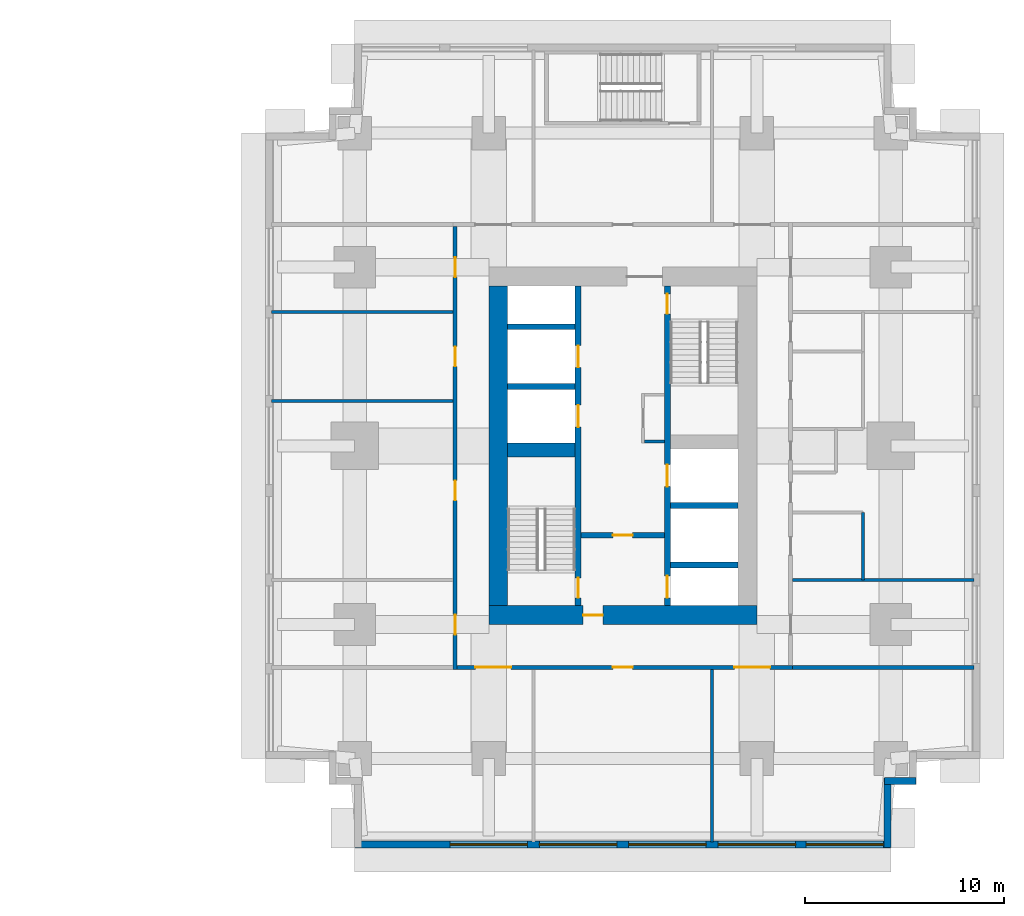
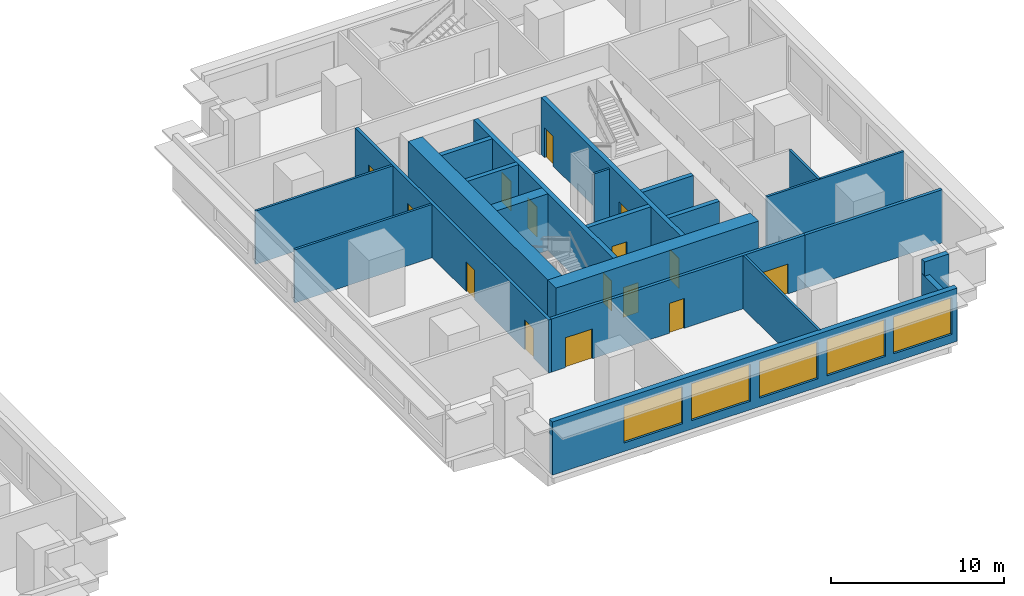
# One storey, part 6 of 11: 22 walls, 15 doors, 5 windows, 20 openings.
"""IFC4 building model written with IfcOpenShell, lengths in metres."""

from ifc_helpers import new_model, si_unit, direction, frame, frame_2d, origin, place, context, subcontext, project, spatial, rectangle, extrude, material, layer, layer_set, type_object, element, fill, save


model = new_model("IFC4")

# Units and contexts
model_context = context("Model", 3, precision=1e-05, world=origin(), true_north=direction((0.0, 1.0)))
body_context = subcontext(model_context, "Body", "Model", "MODEL_VIEW")
ifc_project = project(units=[si_unit("LENGTHUNIT", "METRE"), si_unit("AREAUNIT", "SQUARE_METRE"), si_unit("VOLUMEUNIT", "CUBIC_METRE"), si_unit("PLANEANGLEUNIT", "RADIAN"), si_unit("MASSUNIT", "GRAM", prefix="KILO")], contexts=[model_context])

# Site, building, storey
site_placement = place(None, origin())
site = spatial("IfcSite", under=ifc_project, at=site_placement, CompositionType="ELEMENT")
building_placement = place(site_placement, origin())
building = spatial("IfcBuilding", under=site, at=building_placement, Name="Namib Vertical Campus", CompositionType="ELEMENT")
storey_placement = place(building_placement, frame((0.0, 0.0, 73.0)))
storey = spatial("IfcBuildingStorey", under=building, at=storey_placement, Name="L17", CompositionType="ELEMENT", Elevation=73.0)

# Wall, openings, doors
ifc_material_1 = material(Name="Concrete C60/75", Category="concrete")
ifc_layer_1 = layer(ifc_material_1, 0.300048828125)
ifc_layer_set_1 = layer_set([ifc_layer_1], Name="Concrete C60/75")
wall_type_1 = type_object("IfcWallType", Name="Core inner wall 300", PredefinedType="SHEAR", material=ifc_layer_set_1)
wall_1_placement = place(storey_placement, frame((78.75, 12.199951171875, 0.0), z_axis=(0.0, 0.0, 1.0), x_axis=(0.0, 1.0, 0.0)))
wall_1 = element("IfcWall", 1, at=wall_1_placement, inside=storey, type_object=wall_type_1, Name="Core inner wall B L17 W1", PredefinedType="SHEAR", context=body_context, shape_type="SweptSolid", body=[
    extrude(rectangle(XDim=16.10009765625, YDim=0.300048828125, at=frame_2d((8.050048828125, 0.0))), origin(), (0.0, 0.0, 1.0), 4.0),
])
opening_1_placement = place(wall_1_placement, frame((0.39990234375, 0.0, 0.0)))
opening_1 = element("IfcOpeningElement", 2, at=opening_1_placement, cuts=wall_1, Name="Opening FD1", PredefinedType="OPENING", context=body_context, shape_type="SweptSolid", body=[
    extrude(rectangle(XDim=1.0, YDim=2.10009765625, at=frame_2d((0.5, 1.050048828125))), frame((0.0, 0.159912109375, 0.0), z_axis=(0.0, -1.0, 0.0), x_axis=(1.0, 0.0, 0.0)), (0.0, 0.0, 1.0), 0.320068359375),
])
opening_2_placement = place(wall_1_placement, frame((9.0, 0.0, 0.0)))
opening_2 = element("IfcOpeningElement", 3, at=opening_2_placement, cuts=wall_1, Name="Opening LD1", PredefinedType="OPENING", context=body_context, shape_type="SweptSolid", body=[
    extrude(rectangle(XDim=1.10009765625, YDim=2.10009765625, at=frame_2d((0.550048828125, 1.050048828125))), frame((0.0, 0.159912109375, 0.0), z_axis=(0.0, -1.0, 0.0), x_axis=(1.0, 0.0, 0.0)), (0.0, 0.0, 1.0), 0.320068359375),
])
opening_3_placement = place(wall_1_placement, frame((12.0, 0.0, 0.0)))
opening_3 = element("IfcOpeningElement", 4, at=opening_3_placement, cuts=wall_1, Name="Opening LD1", PredefinedType="OPENING", context=body_context, shape_type="SweptSolid", body=[
    extrude(rectangle(XDim=1.10009765625, YDim=2.10009765625, at=frame_2d((0.550048828125, 1.050048828125))), frame((0.0, 0.159912109375, 0.0), z_axis=(0.0, -1.0, 0.0), x_axis=(1.0, 0.0, 0.0)), (0.0, 0.0, 1.0), 0.320068359375),
])
ifc_material_2 = material(Name="Steel fire door", Category="steel")
door_type_1 = type_object("IfcDoorType", Name="Fire door 1000x2100", OperationType="SINGLE_SWING_RIGHT", PredefinedType="DOOR", material=ifc_material_2)
door_1_placement = place(opening_1_placement, origin())
door_1 = element("IfcDoor", 5, at=door_1_placement, inside=storey, type_object=door_type_1, Name="Stair door FD1 B L17 S1", OperationType="SINGLE_SWING_LEFT", OverallHeight=2.10009765625, OverallWidth=1.0, PredefinedType="DOOR", context=body_context, shape_type="SweptSolid", body=[
    extrude(rectangle(XDim=1.0, YDim=2.10009765625, at=frame_2d((0.5, 1.050048828125))), frame((0.0, 0.02490234375, 0.0), z_axis=(0.0, -1.0, 0.0), x_axis=(1.0, 0.0, 0.0)), (0.0, 0.0, 1.0), 0.050048828125),
])
fill(opening_1, door_1)
ifc_material_3 = material(Name="Stainless steel lift door", Category="steel")
door_type_2 = type_object("IfcDoorType", Name="Lift landing door 1100x2100", OperationType="DOUBLE_DOOR_SLIDING", PredefinedType="DOOR", material=ifc_material_3)
door_2_placement = place(opening_2_placement, origin())
door_2 = element("IfcDoor", 6, at=door_2_placement, inside=storey, type_object=door_type_2, Name="Lift landing door LD1 B-P1 L17", OperationType="DOUBLE_DOOR_SLIDING", OverallHeight=2.10009765625, OverallWidth=1.10009765625, PredefinedType="DOOR", context=body_context, shape_type="SweptSolid", body=[
    extrude(rectangle(XDim=1.10009765625, YDim=2.10009765625, at=frame_2d((0.550048828125, 1.050048828125))), frame((0.0, 0.02490234375, 0.0), z_axis=(0.0, -1.0, 0.0), x_axis=(1.0, 0.0, 0.0)), (0.0, 0.0, 1.0), 0.050048828125),
])
fill(opening_2, door_2)
door_3_placement = place(opening_3_placement, origin())
door_3 = element("IfcDoor", 7, at=door_3_placement, inside=storey, type_object=door_type_2, Name="Lift landing door LD1 B-P2 L17", OperationType="DOUBLE_DOOR_SLIDING", OverallHeight=2.10009765625, OverallWidth=1.10009765625, PredefinedType="DOOR", context=body_context, shape_type="SweptSolid", body=[
    extrude(rectangle(XDim=1.10009765625, YDim=2.10009765625, at=frame_2d((0.550048828125, 1.050048828125))), frame((0.0, 0.02490234375, 0.0), z_axis=(0.0, -1.0, 0.0), x_axis=(1.0, 0.0, 0.0)), (0.0, 0.0, 1.0), 0.050048828125),
])
fill(opening_3, door_3)

wall_2_placement = place(storey_placement, frame((83.25, 12.199951171875, 0.0), z_axis=(0.0, 0.0, 1.0), x_axis=(0.0, 1.0, 0.0)))
wall_2 = element("IfcWall", 8, at=wall_2_placement, inside=storey, type_object=wall_type_1, Name="Core inner wall B L17 W2", PredefinedType="SHEAR", context=body_context, shape_type="SweptSolid", body=[
    extrude(rectangle(XDim=16.10009765625, YDim=0.300048828125, at=frame_2d((8.050048828125, 0.0))), origin(), (0.0, 0.0, 1.0), 4.0),
])
opening_4_placement = place(wall_2_placement, frame((14.699951171875, 0.0, 0.0)))
opening_4 = element("IfcOpeningElement", 9, at=opening_4_placement, cuts=wall_2, Name="Opening FD1", PredefinedType="OPENING", context=body_context, shape_type="SweptSolid", body=[
    extrude(rectangle(XDim=1.0, YDim=2.10009765625, at=frame_2d((0.5, 1.050048828125))), frame((0.0, 0.159912109375, 0.0), z_axis=(0.0, -1.0, 0.0), x_axis=(1.0, 0.0, 0.0)), (0.0, 0.0, 1.0), 0.320068359375),
])
opening_5_placement = place(wall_2_placement, frame((0.39990234375, 0.0, 0.0)))
opening_5 = element("IfcOpeningElement", 10, at=opening_5_placement, cuts=wall_2, Name="Opening LD1", PredefinedType="OPENING", context=body_context, shape_type="SweptSolid", body=[
    extrude(rectangle(XDim=1.10009765625, YDim=2.10009765625, at=frame_2d((0.550048828125, 1.050048828125))), frame((0.0, 0.159912109375, 0.0), z_axis=(0.0, -1.0, 0.0), x_axis=(1.0, 0.0, 0.0)), (0.0, 0.0, 1.0), 0.320068359375),
])
opening_6_placement = place(wall_2_placement, frame((6.0, 0.0, 0.0)))
opening_6 = element("IfcOpeningElement", 11, at=opening_6_placement, cuts=wall_2, Name="Opening LD1", PredefinedType="OPENING", context=body_context, shape_type="SweptSolid", body=[
    extrude(rectangle(XDim=1.10009765625, YDim=2.10009765625, at=frame_2d((0.550048828125, 1.050048828125))), frame((0.0, 0.159912109375, 0.0), z_axis=(0.0, -1.0, 0.0), x_axis=(1.0, 0.0, 0.0)), (0.0, 0.0, 1.0), 0.320068359375),
])
door_4_placement = place(opening_4_placement, frame((1.0, 0.0, 0.0), z_axis=(0.0, 0.0, 1.0), x_axis=(-1.0, 0.0, 0.0)))
door_4 = element("IfcDoor", 12, at=door_4_placement, inside=storey, type_object=door_type_1, Name="Stair door FD1 B L17 S2", OperationType="SINGLE_SWING_LEFT", OverallHeight=2.10009765625, OverallWidth=1.0, PredefinedType="DOOR", context=body_context, shape_type="SweptSolid", body=[
    extrude(rectangle(XDim=1.0, YDim=2.10009765625, at=frame_2d((0.5, 1.050048828125))), frame((0.0, 0.02490234375, 0.0), z_axis=(0.0, -1.0, 0.0), x_axis=(1.0, 0.0, 0.0)), (0.0, 0.0, 1.0), 0.050048828125),
])
fill(opening_4, door_4)
door_5_placement = place(opening_5_placement, origin())
door_5 = element("IfcDoor", 13, at=door_5_placement, inside=storey, type_object=door_type_2, Name="Lift landing door LD1 B-FL1 L17", OperationType="DOUBLE_DOOR_SLIDING", OverallHeight=2.10009765625, OverallWidth=1.10009765625, PredefinedType="DOOR", context=body_context, shape_type="SweptSolid", body=[
    extrude(rectangle(XDim=1.10009765625, YDim=2.10009765625, at=frame_2d((0.550048828125, 1.050048828125))), frame((0.0, 0.02490234375, 0.0), z_axis=(0.0, -1.0, 0.0), x_axis=(1.0, 0.0, 0.0)), (0.0, 0.0, 1.0), 0.050048828125),
])
fill(opening_5, door_5)
door_6_placement = place(opening_6_placement, origin())
door_6 = element("IfcDoor", 14, at=door_6_placement, inside=storey, type_object=door_type_2, Name="Lift landing door LD1 B-P5 L17", OperationType="DOUBLE_DOOR_SLIDING", OverallHeight=2.10009765625, OverallWidth=1.10009765625, PredefinedType="DOOR", context=body_context, shape_type="SweptSolid", body=[
    extrude(rectangle(XDim=1.10009765625, YDim=2.10009765625, at=frame_2d((0.550048828125, 1.050048828125))), frame((0.0, 0.02490234375, 0.0), z_axis=(0.0, -1.0, 0.0), x_axis=(1.0, 0.0, 0.0)), (0.0, 0.0, 1.0), 0.050048828125),
])
fill(opening_6, door_6)

# Wall, opening, door
wall_3_placement = place(storey_placement, frame((78.89990234375, 15.75, 0.0), z_axis=(0.0, 0.0, 1.0), x_axis=(1.0, 0.0, 0.0)))
wall_3 = element("IfcWall", 15, at=wall_3_placement, inside=storey, type_object=wall_type_1, Name="Core inner wall B L17 W4", PredefinedType="SHEAR", context=body_context, shape_type="SweptSolid", body=[
    extrude(rectangle(XDim=4.2001953125, YDim=0.300048828125, at=frame_2d((2.10009765625, 0.0))), origin(), (0.0, 0.0, 1.0), 4.0),
])
opening_7_placement = place(wall_3_placement, frame((1.60009765625, 0.0, 0.0)))
opening_7 = element("IfcOpeningElement", 16, at=opening_7_placement, cuts=wall_3, Name="Opening FD5", PredefinedType="OPENING", context=body_context, shape_type="SweptSolid", body=[
    extrude(rectangle(XDim=1.0, YDim=2.10009765625, at=frame_2d((0.5, 1.050048828125))), frame((0.0, 0.159912109375, 0.0), z_axis=(0.0, -1.0, 0.0), x_axis=(1.0, 0.0, 0.0)), (0.0, 0.0, 1.0), 0.320068359375),
])
ifc_material_4 = material(Name="Steel fire door", Category="steel")
door_type_3 = type_object("IfcDoorType", Name="Fire door 1000x2100 120 min", OperationType="SINGLE_SWING_RIGHT", PredefinedType="DOOR", material=ifc_material_4)
door_7_placement = place(opening_7_placement, frame((1.0, 0.0, 0.0), z_axis=(0.0, 0.0, 1.0), x_axis=(-1.0, 0.0, 0.0)))
door_7 = element("IfcDoor", 17, at=door_7_placement, inside=storey, type_object=door_type_3, Name="Lobby door FD5 B L17", OperationType="SINGLE_SWING_RIGHT", OverallHeight=2.10009765625, OverallWidth=1.0, PredefinedType="DOOR", context=body_context, shape_type="SweptSolid", body=[
    extrude(rectangle(XDim=1.0, YDim=2.10009765625, at=frame_2d((0.5, 1.050048828125))), frame((0.0, 0.02490234375, 0.0), z_axis=(0.0, -1.0, 0.0), x_axis=(1.0, 0.0, 0.0)), (0.0, 0.0, 1.0), 0.050048828125),
])
fill(opening_7, door_7)

# Walls
for number, where, z_axis, x_axis, name in (
    (18, (83.39990234375, 14.25, 0.0), (0.0, 0.0, 1.0), (1.0, 0.0, 0.0), "Core inner wall B L17 W5"),
    (19, (83.39990234375, 17.25, 0.0), (0.0, 0.0, 1.0), (1.0, 0.0, 0.0), "Core inner wall B L17 W6"),
    (20, (75.199951171875, 23.25, 0.0), (0.0, 0.0, 1.0), (1.0, 0.0, 0.0), "Core inner wall B L17 W8"),
    (21, (75.199951171875, 26.25, 0.0), (0.0, 0.0, 1.0), (1.0, 0.0, 0.0), "Core inner wall B L17 W9"),
):
    element("IfcWall", number, at=place(storey_placement, frame(where, z_axis=z_axis, x_axis=x_axis)), inside=storey, type_object=wall_type_1, Name=name, PredefinedType="SHEAR", context=body_context, shape_type="SweptSolid", body=[
        extrude(rectangle(XDim=3.400146484375, YDim=0.300048828125, at=frame_2d((1.7001953125, 0.0))), origin(), (0.0, 0.0, 1.0), 4.0),
    ])
ifc_material_5 = material(Name="Concrete C60/75", Category="concrete")
ifc_layer_2 = layer(ifc_material_5, 0.699951171875)
ifc_layer_set_2 = layer_set([ifc_layer_2], Name="Concrete C60/75")
wall_type_2 = type_object("IfcWallType", Name="Core shear wall 700", PredefinedType="SHEAR", material=ifc_layer_set_2)
wall_4_placement = place(storey_placement, frame((75.199951171875, 20.050048828125, 0.0), z_axis=(0.0, 0.0, 1.0), x_axis=(1.0, 0.0, 0.0)))
element("IfcWall", 22, at=wall_4_placement, inside=storey, type_object=wall_type_2, Name="Core shear wall B L17 W3", PredefinedType="SHEAR", context=body_context, shape_type="SweptSolid", body=[
    extrude(rectangle(XDim=3.400146484375, YDim=0.699951171875, at=frame_2d((1.7001953125, 0.0))), origin(), (0.0, 0.0, 1.0), 4.0),
])

# Wall, opening, door
ifc_material_6 = material(Name="Concrete C60/75", Category="concrete")
ifc_layer_3 = layer(ifc_material_6, 0.949951171875)
ifc_layer_set_3 = layer_set([ifc_layer_3], Name="Concrete C60/75")
wall_type_3 = type_object("IfcWallType", Name="Core wall 950", PredefinedType="SHEAR", material=ifc_layer_set_3)
wall_5_placement = place(storey_placement, frame((74.25, 11.72509765625, 0.0), z_axis=(0.0, 0.0, 1.0), x_axis=(1.0, 0.0, 0.0)))
wall_5 = element("IfcWall", 23, at=wall_5_placement, inside=storey, type_object=wall_type_3, Name="Core wall B L17 1", PredefinedType="SHEAR", context=body_context, shape_type="SweptSolid", body=[
    extrude(rectangle(XDim=13.5, YDim=0.949951171875, at=frame_2d((6.75, 0.0))), origin(), (0.0, 0.0, 1.0), 4.0),
])
opening_8_placement = place(wall_5_placement, frame((4.75, 0.0, 0.0)))
opening_8 = element("IfcOpeningElement", 24, at=opening_8_placement, cuts=wall_5, Name="Opening FD5", PredefinedType="OPENING", context=body_context, shape_type="SweptSolid", body=[
    extrude(rectangle(XDim=1.0, YDim=2.10009765625, at=frame_2d((0.5, 1.050048828125))), frame((0.0, 0.48486328125, 0.0), z_axis=(0.0, -1.0, 0.0), x_axis=(1.0, 0.0, 0.0)), (0.0, 0.0, 1.0), 0.969970703125),
])
door_8_placement = place(opening_8_placement, origin())
door_8 = element("IfcDoor", 25, at=door_8_placement, inside=storey, type_object=door_type_3, Name="Firefighting lobby door FD5 B L17", OperationType="SINGLE_SWING_LEFT", OverallHeight=2.10009765625, OverallWidth=1.0, PredefinedType="DOOR", context=body_context, shape_type="SweptSolid", body=[
    extrude(rectangle(XDim=1.0, YDim=2.10009765625, at=frame_2d((0.5, 1.050048828125))), frame((0.0, 0.02490234375, 0.0), z_axis=(0.0, -1.0, 0.0), x_axis=(1.0, 0.0, 0.0)), (0.0, 0.0, 1.0), 0.050048828125),
])
fill(opening_8, door_8)

# Wall
wall_6_placement = place(storey_placement, frame((74.72509765625, 28.300048828125, 0.0), z_axis=(0.0, 0.0, 1.0), x_axis=(0.0, -1.0, 0.0)))
element("IfcWall", 26, at=wall_6_placement, inside=storey, type_object=wall_type_3, Name="Core wall B L17 4", PredefinedType="SHEAR", context=body_context, shape_type="SweptSolid", body=[
    extrude(rectangle(XDim=16.10009765625, YDim=0.949951171875, at=frame_2d((8.050048828125, 0.0))), origin(), (0.0, 0.0, 1.0), 4.0),
])

# Wall, openings, doors
ifc_material_7 = material(Name="Concrete masonry", Category="masonry")
ifc_layer_4 = layer(ifc_material_7, 0.199951171875)
ifc_layer_set_4 = layer_set([ifc_layer_4], Name="Corridor wall 200")
wall_type_4 = type_object("IfcWallType", Name="Corridor wall 200", PredefinedType="SOLIDWALL", material=ifc_layer_set_4)
wall_7_placement = place(storey_placement, frame((72.64990234375, 9.10009765625, 0.0), z_axis=(0.0, 0.0, 1.0), x_axis=(1.0, 0.0, 0.0)))
wall_7 = element("IfcWall", 27, at=wall_7_placement, inside=storey, type_object=wall_type_4, Name="Corridor wall B L17 CS", PredefinedType="SOLIDWALL", context=body_context, shape_type="SweptSolid", body=[
    extrude(rectangle(XDim=16.900146484375, YDim=0.199951171875, at=frame_2d((8.4501953125, 0.0))), origin(), (0.0, 0.0, 1.0), 3.75),
])
opening_9_placement = place(wall_7_placement, frame((0.925048828125, 0.0, 0.0)))
opening_9 = element("IfcOpeningElement", 28, at=opening_9_placement, cuts=wall_7, Name="Opening CD2", PredefinedType="OPENING", context=body_context, shape_type="SweptSolid", body=[
    extrude(rectangle(XDim=1.800048828125, YDim=2.10009765625, at=frame_2d((0.89990234375, 1.050048828125))), frame((0.0, 0.10986328125, 0.0), z_axis=(0.0, -1.0, 0.0), x_axis=(1.0, 0.0, 0.0)), (0.0, 0.0, 1.0), 0.219970703125),
])
opening_10_placement = place(wall_7_placement, frame((7.85009765625, 0.0, 0.0)))
opening_10 = element("IfcOpeningElement", 29, at=opening_10_placement, cuts=wall_7, Name="Opening CD1", PredefinedType="OPENING", context=body_context, shape_type="SweptSolid", body=[
    extrude(rectangle(XDim=1.0, YDim=2.10009765625, at=frame_2d((0.5, 1.050048828125))), frame((0.0, 0.10986328125, 0.0), z_axis=(0.0, -1.0, 0.0), x_axis=(1.0, 0.0, 0.0)), (0.0, 0.0, 1.0), 0.219970703125),
])
opening_11_placement = place(wall_7_placement, frame((13.97509765625, 0.0, 0.0)))
opening_11 = element("IfcOpeningElement", 30, at=opening_11_placement, cuts=wall_7, Name="Opening CD2", PredefinedType="OPENING", context=body_context, shape_type="SweptSolid", body=[
    extrude(rectangle(XDim=1.800048828125, YDim=2.10009765625, at=frame_2d((0.89990234375, 1.050048828125))), frame((0.0, 0.10986328125, 0.0), z_axis=(0.0, -1.0, 0.0), x_axis=(1.0, 0.0, 0.0)), (0.0, 0.0, 1.0), 0.219970703125),
])
ifc_material_8 = material(Name="Timber fire door leaf", Category="wood")
door_type_4 = type_object("IfcDoorType", Name="Corridor door 1000x2100 20 min", OperationType="SINGLE_SWING_LEFT", PredefinedType="DOOR", material=ifc_material_8)
door_9_placement = place(opening_10_placement, frame((1.0, 0.0, 0.0), z_axis=(0.0, 0.0, 1.0), x_axis=(-1.0, 0.0, 0.0)))
door_9 = element("IfcDoor", 31, at=door_9_placement, inside=storey, type_object=door_type_4, Name="Door CD1 B17-02", OperationType="SINGLE_SWING_RIGHT", OverallHeight=2.10009765625, OverallWidth=1.0, PredefinedType="DOOR", context=body_context, shape_type="SweptSolid", body=[
    extrude(rectangle(XDim=1.0, YDim=2.10009765625, at=frame_2d((0.5, 1.050048828125))), frame((0.0, 0.02490234375, 0.0), z_axis=(0.0, -1.0, 0.0), x_axis=(1.0, 0.0, 0.0)), (0.0, 0.0, 1.0), 0.050048828125),
])
fill(opening_10, door_9)
ifc_material_9 = material(Name="Timber fire door leaf", Category="wood")
door_type_5 = type_object("IfcDoorType", Name="Corridor door double 1800x2100 20 min", OperationType="DOUBLE_DOOR_SINGLE_SWING", PredefinedType="DOOR", material=ifc_material_9)
door_10_placement = place(opening_9_placement, frame((1.800048828125, 0.0, 0.0), z_axis=(0.0, 0.0, 1.0), x_axis=(-1.0, 0.0, 0.0)))
door_10 = element("IfcDoor", 32, at=door_10_placement, inside=storey, type_object=door_type_5, Name="Door CD2 B17-01", OperationType="DOUBLE_DOOR_SINGLE_SWING", OverallHeight=2.10009765625, OverallWidth=1.800048828125, PredefinedType="DOOR", context=body_context, shape_type="SweptSolid", body=[
    extrude(rectangle(XDim=1.800048828125, YDim=2.10009765625, at=frame_2d((0.89990234375, 1.050048828125))), frame((0.0, 0.02490234375, 0.0), z_axis=(0.0, -1.0, 0.0), x_axis=(1.0, 0.0, 0.0)), (0.0, 0.0, 1.0), 0.050048828125),
])
fill(opening_9, door_10)
door_11_placement = place(opening_11_placement, frame((1.800048828125, 0.0, 0.0), z_axis=(0.0, 0.0, 1.0), x_axis=(-1.0, 0.0, 0.0)))
door_11 = element("IfcDoor", 33, at=door_11_placement, inside=storey, type_object=door_type_5, Name="Door CD2 B17-03", OperationType="DOUBLE_DOOR_SINGLE_SWING", OverallHeight=2.10009765625, OverallWidth=1.800048828125, PredefinedType="DOOR", context=body_context, shape_type="SweptSolid", body=[
    extrude(rectangle(XDim=1.800048828125, YDim=2.10009765625, at=frame_2d((0.89990234375, 1.050048828125))), frame((0.0, 0.02490234375, 0.0), z_axis=(0.0, -1.0, 0.0), x_axis=(1.0, 0.0, 0.0)), (0.0, 0.0, 1.0), 0.050048828125),
])
fill(opening_11, door_11)

wall_8_placement = place(storey_placement, frame((72.550048828125, 31.300048828125, 0.0), z_axis=(0.0, 0.0, 1.0), x_axis=(0.0, -1.0, 0.0)))
wall_8 = element("IfcWall", 34, at=wall_8_placement, inside=storey, type_object=wall_type_4, Name="Corridor wall B L17 CW", PredefinedType="SOLIDWALL", context=body_context, shape_type="SweptSolid", body=[
    extrude(rectangle(XDim=22.300048828125, YDim=0.199951171875, at=frame_2d((11.14990234375, 0.0))), origin(), (0.0, 0.0, 1.0), 3.75),
])
opening_12_placement = place(wall_8_placement, frame((19.550048828125, 0.0, 0.0)))
opening_12 = element("IfcOpeningElement", 35, at=opening_12_placement, cuts=wall_8, Name="Opening CD1", PredefinedType="OPENING", context=body_context, shape_type="SweptSolid", body=[
    extrude(rectangle(XDim=1.0, YDim=2.10009765625, at=frame_2d((0.5, 1.050048828125))), frame((0.0, 0.10986328125, 0.0), z_axis=(0.0, -1.0, 0.0), x_axis=(1.0, 0.0, 0.0)), (0.0, 0.0, 1.0), 0.219970703125),
])
opening_13_placement = place(wall_8_placement, frame((12.800048828125, 0.0, 0.0)))
opening_13 = element("IfcOpeningElement", 36, at=opening_13_placement, cuts=wall_8, Name="Opening CD1", PredefinedType="OPENING", context=body_context, shape_type="SweptSolid", body=[
    extrude(rectangle(XDim=1.0, YDim=2.10009765625, at=frame_2d((0.5, 1.050048828125))), frame((0.0, 0.10986328125, 0.0), z_axis=(0.0, -1.0, 0.0), x_axis=(1.0, 0.0, 0.0)), (0.0, 0.0, 1.0), 0.219970703125),
])
opening_14_placement = place(wall_8_placement, frame((6.050048828125, 0.0, 0.0)))
opening_14 = element("IfcOpeningElement", 37, at=opening_14_placement, cuts=wall_8, Name="Opening CD1", PredefinedType="OPENING", context=body_context, shape_type="SweptSolid", body=[
    extrude(rectangle(XDim=1.0, YDim=2.10009765625, at=frame_2d((0.5, 1.050048828125))), frame((0.0, 0.10986328125, 0.0), z_axis=(0.0, -1.0, 0.0), x_axis=(1.0, 0.0, 0.0)), (0.0, 0.0, 1.0), 0.219970703125),
])
opening_15_placement = place(wall_8_placement, frame((1.550048828125, 0.0, 0.0)))
opening_15 = element("IfcOpeningElement", 38, at=opening_15_placement, cuts=wall_8, Name="Opening CD1", PredefinedType="OPENING", context=body_context, shape_type="SweptSolid", body=[
    extrude(rectangle(XDim=1.0, YDim=2.10009765625, at=frame_2d((0.5, 1.050048828125))), frame((0.0, 0.10986328125, 0.0), z_axis=(0.0, -1.0, 0.0), x_axis=(1.0, 0.0, 0.0)), (0.0, 0.0, 1.0), 0.219970703125),
])
door_12_placement = place(opening_12_placement, frame((1.0, 0.0, 0.0), z_axis=(0.0, 0.0, 1.0), x_axis=(-1.0, 0.0, 0.0)))
door_12 = element("IfcDoor", 39, at=door_12_placement, inside=storey, type_object=door_type_4, Name="Door CD1 B17-14", OperationType="SINGLE_SWING_RIGHT", OverallHeight=2.10009765625, OverallWidth=1.0, PredefinedType="DOOR", context=body_context, shape_type="SweptSolid", body=[
    extrude(rectangle(XDim=1.0, YDim=2.10009765625, at=frame_2d((0.5, 1.050048828125))), frame((0.0, 0.02490234375, 0.0), z_axis=(0.0, -1.0, 0.0), x_axis=(1.0, 0.0, 0.0)), (0.0, 0.0, 1.0), 0.050048828125),
])
fill(opening_12, door_12)
door_13_placement = place(opening_13_placement, frame((1.0, 0.0, 0.0), z_axis=(0.0, 0.0, 1.0), x_axis=(-1.0, 0.0, 0.0)))
door_13 = element("IfcDoor", 40, at=door_13_placement, inside=storey, type_object=door_type_4, Name="Door CD1 B17-15", OperationType="SINGLE_SWING_RIGHT", OverallHeight=2.10009765625, OverallWidth=1.0, PredefinedType="DOOR", context=body_context, shape_type="SweptSolid", body=[
    extrude(rectangle(XDim=1.0, YDim=2.10009765625, at=frame_2d((0.5, 1.050048828125))), frame((0.0, 0.02490234375, 0.0), z_axis=(0.0, -1.0, 0.0), x_axis=(1.0, 0.0, 0.0)), (0.0, 0.0, 1.0), 0.050048828125),
])
fill(opening_13, door_13)
door_14_placement = place(opening_14_placement, frame((1.0, 0.0, 0.0), z_axis=(0.0, 0.0, 1.0), x_axis=(-1.0, 0.0, 0.0)))
door_14 = element("IfcDoor", 41, at=door_14_placement, inside=storey, type_object=door_type_4, Name="Door CD1 B17-16", OperationType="SINGLE_SWING_RIGHT", OverallHeight=2.10009765625, OverallWidth=1.0, PredefinedType="DOOR", context=body_context, shape_type="SweptSolid", body=[
    extrude(rectangle(XDim=1.0, YDim=2.10009765625, at=frame_2d((0.5, 1.050048828125))), frame((0.0, 0.02490234375, 0.0), z_axis=(0.0, -1.0, 0.0), x_axis=(1.0, 0.0, 0.0)), (0.0, 0.0, 1.0), 0.050048828125),
])
fill(opening_14, door_14)
door_15_placement = place(opening_15_placement, frame((1.0, 0.0, 0.0), z_axis=(0.0, 0.0, 1.0), x_axis=(-1.0, 0.0, 0.0)))
door_15 = element("IfcDoor", 42, at=door_15_placement, inside=storey, type_object=door_type_4, Name="Door CD1 B17-17", OperationType="SINGLE_SWING_RIGHT", OverallHeight=2.10009765625, OverallWidth=1.0, PredefinedType="DOOR", context=body_context, shape_type="SweptSolid", body=[
    extrude(rectangle(XDim=1.0, YDim=2.10009765625, at=frame_2d((0.5, 1.050048828125))), frame((0.0, 0.02490234375, 0.0), z_axis=(0.0, -1.0, 0.0), x_axis=(1.0, 0.0, 0.0)), (0.0, 0.0, 1.0), 0.050048828125),
])
fill(opening_15, door_15)

# Wall
wall_9_placement = place(storey_placement, frame((89.550048828125, 9.10009765625, 0.0), z_axis=(0.0, 0.0, 1.0), x_axis=(1.0, 0.0, 0.0)))
element("IfcWall", 43, at=wall_9_placement, inside=storey, type_object=wall_type_4, Name="Partition B L17 BSE", PredefinedType="SOLIDWALL", context=body_context, shape_type="SweptSolid", body=[
    extrude(rectangle(XDim=9.14990234375, YDim=0.199951171875, at=frame_2d((4.574951171875, 0.0))), origin(), (0.0, 0.0, 1.0), 3.75),
])

# Wall, openings, windows
ifc_material_10 = material(Name="Concrete C40/50", Category="concrete")
ifc_layer_5 = layer(ifc_material_10, 0.35009765625)
ifc_layer_set_5 = layer_set([ifc_layer_5], Name="Concrete C40/50")
wall_type_5 = type_object("IfcWallType", Name="External wall 350 bush-hammered concrete", PredefinedType="STANDARD", material=ifc_layer_set_5)
wall_10_placement = place(storey_placement, frame((67.52001953125, 0.175048828125, 0.0), z_axis=(0.0, 0.0, 1.0), x_axis=(1.0, 0.0, 0.0)))
wall_10 = element("IfcWall", 44, at=wall_10_placement, inside=storey, type_object=wall_type_5, Name="External wall L17 F01", PredefinedType="STANDARD", context=body_context, shape_type="SweptSolid", body=[
    extrude(rectangle(XDim=26.9599609375, YDim=0.35009765625, at=frame_2d((13.47998046875, 0.0))), origin(), (0.0, 0.0, 1.0), 3.75),
])
opening_16_placement = place(wall_10_placement, frame((4.780029296875, 0.0, 0.60009765625)))
opening_16 = element("IfcOpeningElement", 45, at=opening_16_placement, cuts=wall_10, Name="Opening W2", PredefinedType="OPENING", context=body_context, shape_type="SweptSolid", body=[
    extrude(rectangle(XDim=3.89990234375, YDim=2.60009765625, at=frame_2d((1.949951171875, 1.300048828125))), frame((0.0, 0.18505859375, 0.0), z_axis=(0.0, -1.0, 0.0), x_axis=(1.0, 0.0, 0.0)), (0.0, 0.0, 1.0), 0.3701171875),
])
opening_17_placement = place(wall_10_placement, frame((9.280029296875, 0.0, 0.60009765625)))
opening_17 = element("IfcOpeningElement", 46, at=opening_17_placement, cuts=wall_10, Name="Opening W2", PredefinedType="OPENING", context=body_context, shape_type="SweptSolid", body=[
    extrude(rectangle(XDim=3.89990234375, YDim=2.60009765625, at=frame_2d((1.949951171875, 1.300048828125))), frame((0.0, 0.18505859375, 0.0), z_axis=(0.0, -1.0, 0.0), x_axis=(1.0, 0.0, 0.0)), (0.0, 0.0, 1.0), 0.3701171875),
])
opening_18_placement = place(wall_10_placement, frame((13.780029296875, 0.0, 0.60009765625)))
opening_18 = element("IfcOpeningElement", 47, at=opening_18_placement, cuts=wall_10, Name="Opening W2", PredefinedType="OPENING", context=body_context, shape_type="SweptSolid", body=[
    extrude(rectangle(XDim=3.89990234375, YDim=2.60009765625, at=frame_2d((1.949951171875, 1.300048828125))), frame((0.0, 0.18505859375, 0.0), z_axis=(0.0, -1.0, 0.0), x_axis=(1.0, 0.0, 0.0)), (0.0, 0.0, 1.0), 0.3701171875),
])
opening_19_placement = place(wall_10_placement, frame((18.280029296875, 0.0, 0.60009765625)))
opening_19 = element("IfcOpeningElement", 48, at=opening_19_placement, cuts=wall_10, Name="Opening W2", PredefinedType="OPENING", context=body_context, shape_type="SweptSolid", body=[
    extrude(rectangle(XDim=3.89990234375, YDim=2.60009765625, at=frame_2d((1.949951171875, 1.300048828125))), frame((0.0, 0.18505859375, 0.0), z_axis=(0.0, -1.0, 0.0), x_axis=(1.0, 0.0, 0.0)), (0.0, 0.0, 1.0), 0.3701171875),
])
opening_20_placement = place(wall_10_placement, frame((22.7099609375, 0.0, 0.60009765625)))
opening_20 = element("IfcOpeningElement", 49, at=opening_20_placement, cuts=wall_10, Name="Opening W2", PredefinedType="OPENING", context=body_context, shape_type="SweptSolid", body=[
    extrude(rectangle(XDim=3.89990234375, YDim=2.60009765625, at=frame_2d((1.949951171875, 1.300048828125))), frame((0.0, 0.18505859375, 0.0), z_axis=(0.0, -1.0, 0.0), x_axis=(1.0, 0.0, 0.0)), (0.0, 0.0, 1.0), 0.3701171875),
])
ifc_material_11 = material(Name="Dark tinted glass in black aluminium frame", Category="aluminium")
window_type = type_object("IfcWindowType", Name="Ribbon window 3900x2600", PartitioningType="SINGLE_PANEL", PredefinedType="WINDOW", material=ifc_material_11)
window_1_placement = place(opening_16_placement, origin())
window_1 = element("IfcWindow", 50, at=window_1_placement, inside=storey, type_object=window_type, Name="Window W2 L17 F01-2", OverallHeight=2.60009765625, OverallWidth=3.89990234375, PartitioningType="SINGLE_PANEL", PredefinedType="WINDOW", context=body_context, shape_type="SweptSolid", body=[
    extrude(rectangle(XDim=3.89990234375, YDim=2.60009765625, at=frame_2d((1.949951171875, 1.300048828125))), frame((0.0, 0.030029296875, 0.0), z_axis=(0.0, -1.0, 0.0), x_axis=(1.0, 0.0, 0.0)), (0.0, 0.0, 1.0), 0.06005859375),
])
fill(opening_16, window_1)
window_2_placement = place(opening_17_placement, origin())
window_2 = element("IfcWindow", 51, at=window_2_placement, inside=storey, type_object=window_type, Name="Window W2 L17 F01-3", OverallHeight=2.60009765625, OverallWidth=3.89990234375, PartitioningType="SINGLE_PANEL", PredefinedType="WINDOW", context=body_context, shape_type="SweptSolid", body=[
    extrude(rectangle(XDim=3.89990234375, YDim=2.60009765625, at=frame_2d((1.949951171875, 1.300048828125))), frame((0.0, 0.030029296875, 0.0), z_axis=(0.0, -1.0, 0.0), x_axis=(1.0, 0.0, 0.0)), (0.0, 0.0, 1.0), 0.06005859375),
])
fill(opening_17, window_2)
window_3_placement = place(opening_18_placement, origin())
window_3 = element("IfcWindow", 52, at=window_3_placement, inside=storey, type_object=window_type, Name="Window W2 L17 F01-4", OverallHeight=2.60009765625, OverallWidth=3.89990234375, PartitioningType="SINGLE_PANEL", PredefinedType="WINDOW", context=body_context, shape_type="SweptSolid", body=[
    extrude(rectangle(XDim=3.89990234375, YDim=2.60009765625, at=frame_2d((1.949951171875, 1.300048828125))), frame((0.0, 0.030029296875, 0.0), z_axis=(0.0, -1.0, 0.0), x_axis=(1.0, 0.0, 0.0)), (0.0, 0.0, 1.0), 0.06005859375),
])
fill(opening_18, window_3)
window_4_placement = place(opening_19_placement, origin())
window_4 = element("IfcWindow", 53, at=window_4_placement, inside=storey, type_object=window_type, Name="Window W2 L17 F01-5", OverallHeight=2.60009765625, OverallWidth=3.89990234375, PartitioningType="SINGLE_PANEL", PredefinedType="WINDOW", context=body_context, shape_type="SweptSolid", body=[
    extrude(rectangle(XDim=3.89990234375, YDim=2.60009765625, at=frame_2d((1.949951171875, 1.300048828125))), frame((0.0, 0.030029296875, 0.0), z_axis=(0.0, -1.0, 0.0), x_axis=(1.0, 0.0, 0.0)), (0.0, 0.0, 1.0), 0.06005859375),
])
fill(opening_19, window_4)
window_5_placement = place(opening_20_placement, origin())
window_5 = element("IfcWindow", 54, at=window_5_placement, inside=storey, type_object=window_type, Name="Window W2 L17 F01-6", OverallHeight=2.60009765625, OverallWidth=3.89990234375, PartitioningType="SINGLE_PANEL", PredefinedType="WINDOW", context=body_context, shape_type="SweptSolid", body=[
    extrude(rectangle(XDim=3.89990234375, YDim=2.60009765625, at=frame_2d((1.949951171875, 1.300048828125))), frame((0.0, 0.030029296875, 0.0), z_axis=(0.0, -1.0, 0.0), x_axis=(1.0, 0.0, 0.0)), (0.0, 0.0, 1.0), 0.06005859375),
])
fill(opening_20, window_5)

# Walls
wall_11_placement = place(storey_placement, frame((94.324951171875, 0.02001953125, 0.0), z_axis=(0.0, 0.0, 1.0), x_axis=(0.0, 1.0, 0.0)))
element("IfcWall", 55, at=wall_11_placement, inside=storey, type_object=wall_type_5, Name="External wall L17 F02", PredefinedType="STANDARD", context=body_context, shape_type="SweptSolid", body=[
    extrude(rectangle(XDim=3.510009765625, YDim=0.35009765625, at=frame_2d((1.7548828125, 0.0))), origin(), (0.0, 0.0, 1.0), 2.75),
])
wall_12_placement = place(storey_placement, frame((94.169921875, 3.375, 0.0), z_axis=(0.0, 0.0, 1.0), x_axis=(1.0, 0.0, 0.0)))
element("IfcWall", 56, at=wall_12_placement, inside=storey, type_object=wall_type_5, Name="External wall L17 F03", PredefinedType="STANDARD", context=body_context, shape_type="SweptSolid", body=[
    extrude(rectangle(XDim=1.610107421875, YDim=0.35009765625, at=frame_2d((0.80517578125, 0.0))), origin(), (0.0, 0.0, 1.0), 3.75),
])
ifc_material_12 = material(Name="Gypsum board on steel studs", Category="steel")
ifc_layer_6 = layer(ifc_material_12, 0.14990234375)
ifc_layer_set_6 = layer_set([ifc_layer_6], Name="Gypsum board on steel studs")
wall_type_6 = type_object("IfcWallType", Name="Partition 150", PredefinedType="PARTITIONING", material=ifc_layer_set_6)
wall_13_placement = place(storey_placement, frame((82.10009765625, 20.47509765625, 0.0), z_axis=(0.0, 0.0, 1.0), x_axis=(1.0, 0.0, 0.0)))
element("IfcWall", 57, at=wall_13_placement, inside=storey, type_object=wall_type_6, Name="Partition B L17 Cleaners' store end 1", PredefinedType="PARTITIONING", context=body_context, shape_type="SweptSolid", body=[
    extrude(rectangle(XDim=1.0, YDim=0.14990234375, at=frame_2d((0.5, 0.0))), origin(), (0.0, 0.0, 1.0), 3.75),
])
wall_14_placement = place(storey_placement, frame((85.5, 0.300048828125, 0.0), z_axis=(0.0, 0.0, 1.0), x_axis=(0.0, 1.0, 0.0)))
element("IfcWall", 58, at=wall_14_placement, inside=storey, type_object=wall_type_6, Name="Partition B L17 PS2", PredefinedType="PARTITIONING", context=body_context, shape_type="SweptSolid", body=[
    extrude(rectangle(XDim=8.699951171875, YDim=0.14990234375, at=frame_2d((4.35009765625, 0.0))), origin(), (0.0, 0.0, 1.0), 3.75),
])
for number, where, z_axis, x_axis, name in (
    (59, (89.550048828125, 13.5, 0.0), (0.0, 0.0, 1.0), (1.0, 0.0, 0.0), "Partition B L17 PE1"),
    (60, (63.300048828125, 22.5, 0.0), (0.0, 0.0, 1.0), (1.0, 0.0, 0.0), "Partition B L17 PW2"),
    (61, (63.300048828125, 27.0, 0.0), (0.0, 0.0, 1.0), (1.0, 0.0, 0.0), "Partition B L17 PW3"),
):
    element("IfcWall", number, at=place(storey_placement, frame(where, z_axis=z_axis, x_axis=x_axis)), inside=storey, type_object=wall_type_6, Name=name, PredefinedType="PARTITIONING", context=body_context, shape_type="SweptSolid", body=[
        extrude(rectangle(XDim=9.14990234375, YDim=0.14990234375, at=frame_2d((4.574951171875, 0.0))), origin(), (0.0, 0.0, 1.0), 3.75),
    ])
wall_15_placement = place(storey_placement, frame((93.10009765625, 13.5, 0.0), z_axis=(0.0, 0.0, 1.0), x_axis=(0.0, 1.0, 0.0)))
element("IfcWall", 62, at=wall_15_placement, inside=storey, type_object=wall_type_6, Name="Partition B L17 WB1", PredefinedType="PARTITIONING", context=body_context, shape_type="SweptSolid", body=[
    extrude(rectangle(XDim=3.39990234375, YDim=0.14990234375, at=frame_2d((1.699951171875, 0.0))), origin(), (0.0, 0.0, 1.0), 3.75),
])

save(model, "model.ifc")
